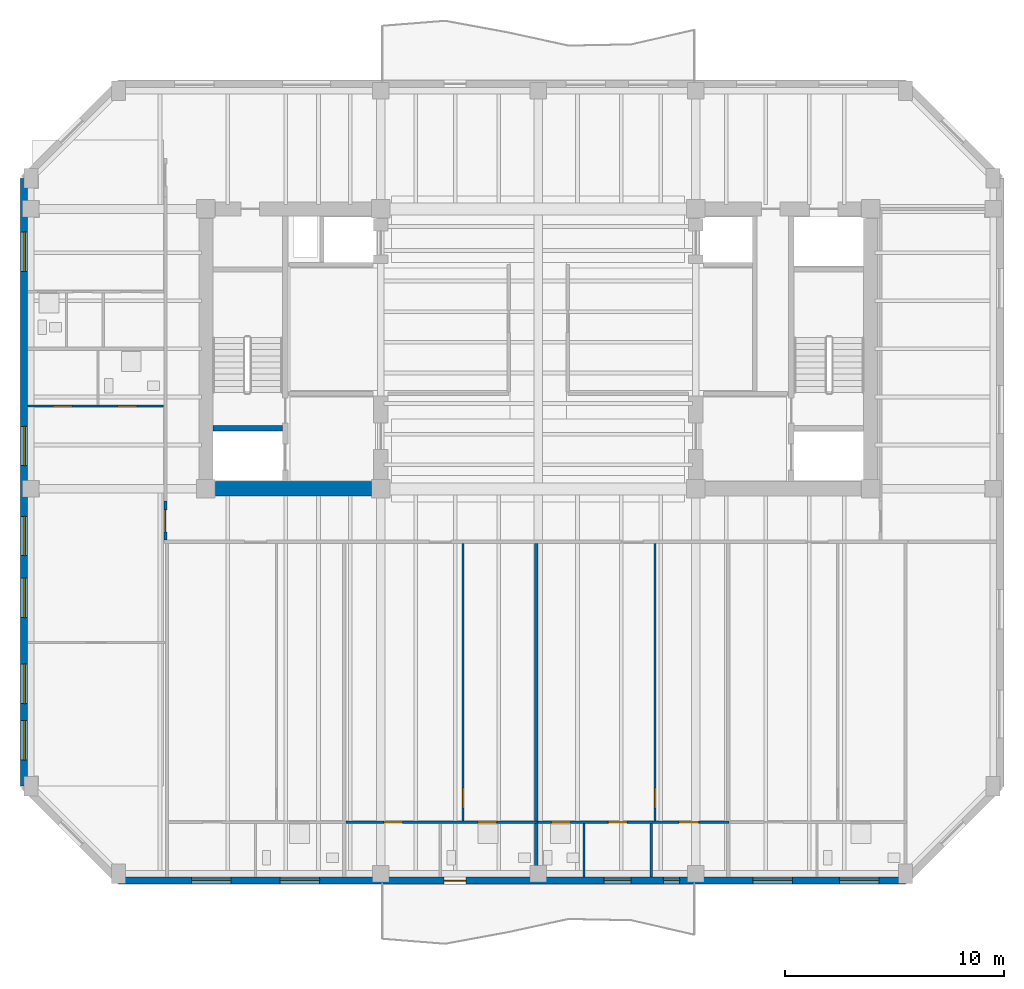
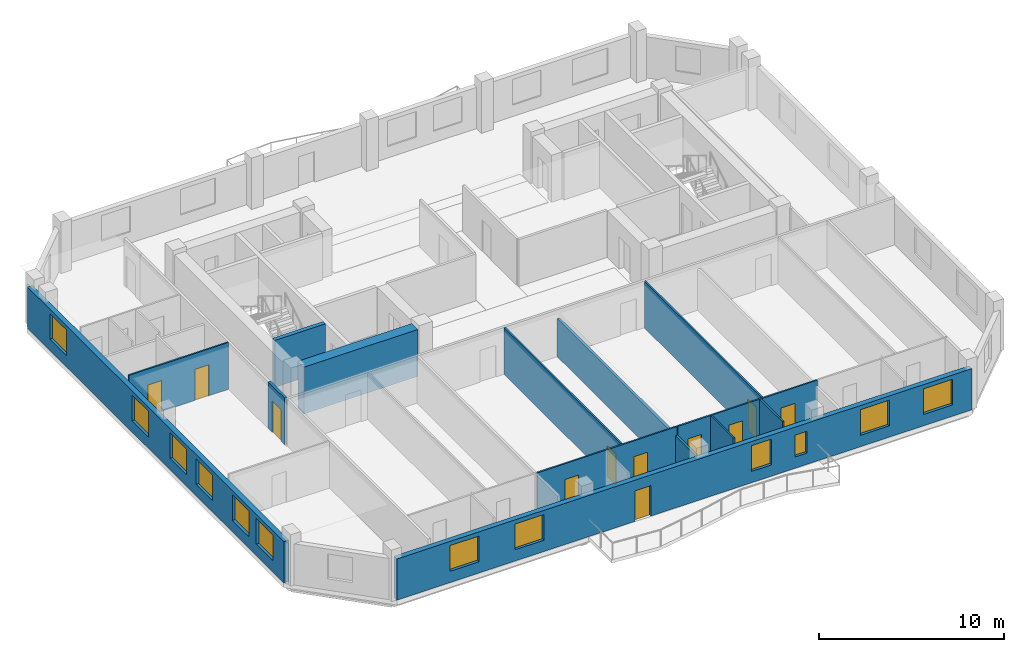
# One storey, part 3 of 11: 13 walls, 12 windows, 11 doors, 23 openings.
"""IFC4 building model written with IfcOpenShell, lengths in metres."""

from ifc_helpers import new_model, si_unit, direction, frame, frame_2d, origin, place, context, subcontext, project, spatial, rectangle, extrude, material, layer, layer_set, type_object, element, fill, save


model = new_model("IFC4")

# Units and contexts
model_context = context("Model", 3, precision=1e-05, world=origin(), true_north=direction((0.0, 1.0)))
body_context = subcontext(model_context, "Body", "Model", "MODEL_VIEW")
ifc_project = project(units=[si_unit("LENGTHUNIT", "METRE"), si_unit("AREAUNIT", "SQUARE_METRE"), si_unit("VOLUMEUNIT", "CUBIC_METRE"), si_unit("PLANEANGLEUNIT", "RADIAN"), si_unit("MASSUNIT", "GRAM", prefix="KILO")], contexts=[model_context])

# Site, building, storey
site_placement = place(None, origin())
site = spatial("IfcSite", under=ifc_project, at=site_placement, CompositionType="ELEMENT")
building_placement = place(site_placement, origin())
building = spatial("IfcBuilding", under=site, at=building_placement, Name="Kranthara Brick Stack", CompositionType="ELEMENT")
storey_placement = place(building_placement, frame((0.0, 0.0, 217.699951171875)))
storey = spatial("IfcBuildingStorey", under=building, at=storey_placement, Name="L56", CompositionType="ELEMENT", Elevation=217.699951171875)

# Wall, openings, door, windows
ifc_material_1 = material(Name="Warm buff clay brick masonry M15", Category="masonry")
ifc_layer_1 = layer(ifc_material_1, 0.320068359375)
ifc_layer_set_1 = layer_set([ifc_layer_1], Name="Warm buff clay brick masonry M15")
wall_type_1 = type_object("IfcWallType", Name="WL-BRK-UPPR-320", PredefinedType="STANDARD", material=ifc_layer_set_1)
wall_1_placement = place(storey_placement, frame((44.800048828125, 2.8798828125, 0.0), z_axis=(0.0, 0.0, 1.0), x_axis=(-1.0, 0.0, 0.0)))
wall_1 = element("IfcWall", 1, at=wall_1_placement, inside=storey, type_object=wall_type_1, Name="L56 Exterior Brick Facade Wall SOUTH 1", PredefinedType="STANDARD", context=body_context, shape_type="SweptSolid", body=[
    extrude(rectangle(XDim=36.0, YDim=0.320068359375, at=frame_2d((18.0, 0.0))), origin(), (0.0, 0.0, 1.0), 2.72509765625),
])
opening_1_placement = place(wall_1_placement, frame((20.10009765625, 0.0, 0.0)))
opening_1 = element("IfcOpeningElement", 2, at=opening_1_placement, cuts=wall_1, Name="Opening D03", PredefinedType="OPENING", context=body_context, shape_type="SweptSolid", body=[
    extrude(rectangle(XDim=1.0, YDim=2.02001953125, at=frame_2d((0.5, 1.010009765625))), frame((0.0, 0.169921875, 0.0), z_axis=(0.0, -1.0, 0.0), x_axis=(1.0, 0.0, 0.0)), (0.0, 0.0, 1.0), 0.340087890625),
])
opening_2_placement = place(wall_1_placement, frame((1.22705078125, 0.0, 0.75)))
opening_2 = element("IfcOpeningElement", 3, at=opening_2_placement, cuts=wall_1, Name="Opening WN07", PredefinedType="OPENING", context=body_context, shape_type="SweptSolid", body=[
    extrude(rectangle(XDim=1.800048828125, YDim=1.699951171875, at=frame_2d((0.89990234375, 0.85009765625))), frame((0.0, 0.169921875, 0.0), z_axis=(0.0, -1.0, 0.0), x_axis=(1.0, 0.0, 0.0)), (0.0, 0.0, 1.0), 0.340087890625),
])
opening_3_placement = place(wall_1_placement, frame((5.179931640625, 0.0, 0.75)))
opening_3 = element("IfcOpeningElement", 4, at=opening_3_placement, cuts=wall_1, Name="Opening WN07", PredefinedType="OPENING", context=body_context, shape_type="SweptSolid", body=[
    extrude(rectangle(XDim=1.800048828125, YDim=1.699951171875, at=frame_2d((0.89990234375, 0.85009765625))), frame((0.0, 0.169921875, 0.0), z_axis=(0.0, -1.0, 0.0), x_axis=(1.0, 0.0, 0.0)), (0.0, 0.0, 1.0), 0.340087890625),
])
opening_4_placement = place(wall_1_placement, frame((12.548095703125, 0.0, 0.75)))
opening_4 = element("IfcOpeningElement", 5, at=opening_4_placement, cuts=wall_1, Name="Opening WN09", PredefinedType="OPENING", context=body_context, shape_type="SweptSolid", body=[
    extrude(rectangle(XDim=1.25, YDim=1.699951171875, at=frame_2d((0.625, 0.85009765625))), frame((0.0, 0.169921875, 0.0), z_axis=(0.0, -1.0, 0.0), x_axis=(1.0, 0.0, 0.0)), (0.0, 0.0, 1.0), 0.340087890625),
])
opening_5_placement = place(wall_1_placement, frame((26.800048828125, 0.0, 0.75)))
opening_5 = element("IfcOpeningElement", 6, at=opening_5_placement, cuts=wall_1, Name="Opening WN07", PredefinedType="OPENING", context=body_context, shape_type="SweptSolid", body=[
    extrude(rectangle(XDim=1.800048828125, YDim=1.699951171875, at=frame_2d((0.89990234375, 0.85009765625))), frame((0.0, 0.169921875, 0.0), z_axis=(0.0, -1.0, 0.0), x_axis=(1.0, 0.0, 0.0)), (0.0, 0.0, 1.0), 0.340087890625),
])
opening_6_placement = place(wall_1_placement, frame((30.85400390625, 0.0, 0.75)))
opening_6 = element("IfcOpeningElement", 7, at=opening_6_placement, cuts=wall_1, Name="Opening WN07", PredefinedType="OPENING", context=body_context, shape_type="SweptSolid", body=[
    extrude(rectangle(XDim=1.800048828125, YDim=1.699951171875, at=frame_2d((0.89990234375, 0.85009765625))), frame((0.0, 0.169921875, 0.0), z_axis=(0.0, -1.0, 0.0), x_axis=(1.0, 0.0, 0.0)), (0.0, 0.0, 1.0), 0.340087890625),
])
opening_7_placement = place(wall_1_placement, frame((10.330078125, 0.0, 0.75)))
opening_7 = element("IfcOpeningElement", 8, at=opening_7_placement, cuts=wall_1, Name="Opening WN13", PredefinedType="OPENING", context=body_context, shape_type="SweptSolid", body=[
    extrude(rectangle(XDim=0.75, YDim=1.449951171875, at=frame_2d((0.375, 0.72509765625))), frame((0.0, 0.169921875, 0.0), z_axis=(0.0, -1.0, 0.0), x_axis=(1.0, 0.0, 0.0)), (0.0, 0.0, 1.0), 0.340087890625),
])
ifc_material_2 = material(Name="Bronze anodised aluminium and laminated glass", Category="aluminium")
door_type_1 = type_object("IfcDoorType", Name="DR-BALC-1000", OperationType="NOTDEFINED", PredefinedType="DOOR", material=ifc_material_2)
door_1_placement = place(opening_1_placement, origin())
door_1 = element("IfcDoor", 9, at=door_1_placement, inside=storey, type_object=door_type_1, Name="L56 South Balcony Terrace Door", OperationType="SINGLE_SWING_LEFT", OverallHeight=2.02001953125, OverallWidth=1.0, PredefinedType="DOOR", context=body_context, shape_type="SweptSolid", body=[
    extrude(rectangle(XDim=1.0, YDim=2.02001953125, at=frame_2d((0.5, 1.010009765625))), frame((0.0, 0.02490234375, 0.0), z_axis=(0.0, -1.0, 0.0), x_axis=(1.0, 0.0, 0.0)), (0.0, 0.0, 1.0), 0.050048828125),
])
fill(opening_1, door_1)
ifc_material_3 = material(Name="Double-glazed low-E solar control glass", Category="glass")
window_type_1 = type_object("IfcWindowType", Name="WN-CAS-750x1450", PartitioningType="SINGLE_PANEL", PredefinedType="WINDOW", material=ifc_material_3)
window_1_placement = place(opening_7_placement, origin())
window_1 = element("IfcWindow", 10, at=window_1_placement, inside=storey, type_object=window_type_1, Name="L56 South Deep-Set Casement Window 06", OverallHeight=1.449951171875, OverallWidth=0.75, PartitioningType="SINGLE_PANEL", PredefinedType="WINDOW", context=body_context, shape_type="SweptSolid", body=[
    extrude(rectangle(XDim=0.75, YDim=1.449951171875, at=frame_2d((0.375, 0.72509765625))), frame((0.0, -0.010009765625, 0.0), z_axis=(0.0, -1.0, 0.0), x_axis=(1.0, 0.0, 0.0)), (0.0, 0.0, 1.0), 0.06005859375),
])
fill(opening_7, window_1)
ifc_material_4 = material(Name="Double-glazed low-E solar control glass", Category="glass")
window_type_2 = type_object("IfcWindowType", Name="WN-RES-1250x1850", PartitioningType="SINGLE_PANEL", PredefinedType="WINDOW", material=ifc_material_4)
window_2_placement = place(opening_4_placement, origin())
window_2 = element("IfcWindow", 11, at=window_2_placement, inside=storey, type_object=window_type_2, Name="L56 South Deep-Set Brick Window 03", OverallHeight=1.699951171875, OverallWidth=1.25, PartitioningType="SINGLE_PANEL", PredefinedType="WINDOW", context=body_context, shape_type="SweptSolid", body=[
    extrude(rectangle(XDim=1.25, YDim=1.699951171875, at=frame_2d((0.625, 0.85009765625))), frame((0.0, -0.010009765625, 0.0), z_axis=(0.0, -1.0, 0.0), x_axis=(1.0, 0.0, 0.0)), (0.0, 0.0, 1.0), 0.06005859375),
])
fill(opening_4, window_2)
ifc_material_5 = material(Name="Double-glazed low-E solar control glass", Category="glass")
window_type_3 = type_object("IfcWindowType", Name="WN-RES-1800x1850", PartitioningType="DOUBLE_PANEL_VERTICAL", PredefinedType="WINDOW", material=ifc_material_5)
window_3_placement = place(opening_2_placement, origin())
window_3 = element("IfcWindow", 12, at=window_3_placement, inside=storey, type_object=window_type_3, Name="L56 South Deep-Set Brick Window 01", OverallHeight=1.699951171875, OverallWidth=1.800048828125, PartitioningType="SINGLE_PANEL", PredefinedType="WINDOW", context=body_context, shape_type="SweptSolid", body=[
    extrude(rectangle(XDim=1.800048828125, YDim=1.699951171875, at=frame_2d((0.89990234375, 0.85009765625))), frame((0.0, -0.010009765625, 0.0), z_axis=(0.0, -1.0, 0.0), x_axis=(1.0, 0.0, 0.0)), (0.0, 0.0, 1.0), 0.06005859375),
])
fill(opening_2, window_3)
window_4_placement = place(opening_3_placement, origin())
window_4 = element("IfcWindow", 13, at=window_4_placement, inside=storey, type_object=window_type_3, Name="L56 South Deep-Set Brick Window 02", OverallHeight=1.699951171875, OverallWidth=1.800048828125, PartitioningType="SINGLE_PANEL", PredefinedType="WINDOW", context=body_context, shape_type="SweptSolid", body=[
    extrude(rectangle(XDim=1.800048828125, YDim=1.699951171875, at=frame_2d((0.89990234375, 0.85009765625))), frame((0.0, -0.010009765625, 0.0), z_axis=(0.0, -1.0, 0.0), x_axis=(1.0, 0.0, 0.0)), (0.0, 0.0, 1.0), 0.06005859375),
])
fill(opening_3, window_4)
window_5_placement = place(opening_5_placement, origin())
window_5 = element("IfcWindow", 14, at=window_5_placement, inside=storey, type_object=window_type_3, Name="L56 South Deep-Set Brick Window 04", OverallHeight=1.699951171875, OverallWidth=1.800048828125, PartitioningType="SINGLE_PANEL", PredefinedType="WINDOW", context=body_context, shape_type="SweptSolid", body=[
    extrude(rectangle(XDim=1.800048828125, YDim=1.699951171875, at=frame_2d((0.89990234375, 0.85009765625))), frame((0.0, -0.010009765625, 0.0), z_axis=(0.0, -1.0, 0.0), x_axis=(1.0, 0.0, 0.0)), (0.0, 0.0, 1.0), 0.06005859375),
])
fill(opening_5, window_5)
window_6_placement = place(opening_6_placement, origin())
window_6 = element("IfcWindow", 15, at=window_6_placement, inside=storey, type_object=window_type_3, Name="L56 South Deep-Set Brick Window 05", OverallHeight=1.699951171875, OverallWidth=1.800048828125, PartitioningType="SINGLE_PANEL", PredefinedType="WINDOW", context=body_context, shape_type="SweptSolid", body=[
    extrude(rectangle(XDim=1.800048828125, YDim=1.699951171875, at=frame_2d((0.89990234375, 0.85009765625))), frame((0.0, -0.010009765625, 0.0), z_axis=(0.0, -1.0, 0.0), x_axis=(1.0, 0.0, 0.0)), (0.0, 0.0, 1.0), 0.06005859375),
])
fill(opening_6, window_6)

# Wall, openings, windows
wall_2_placement = place(storey_placement, frame((4.47998046875, 7.199951171875, 0.0), z_axis=(0.0, 0.0, 1.0), x_axis=(0.0, 1.0, 0.0)))
wall_2 = element("IfcWall", 16, at=wall_2_placement, inside=storey, type_object=wall_type_1, Name="L56 Exterior Brick Facade Wall WEST 1", PredefinedType="STANDARD", context=body_context, shape_type="SweptSolid", body=[
    extrude(rectangle(XDim=27.800048828125, YDim=0.320068359375, at=frame_2d((13.89990234375, 0.0))), origin(), (0.0, 0.0, 1.0), 2.72509765625),
])
opening_8_placement = place(wall_2_placement, frame((1.197998046875, 0.0, 0.75)))
opening_8 = element("IfcOpeningElement", 17, at=opening_8_placement, cuts=wall_2, Name="Opening WN07", PredefinedType="OPENING", context=body_context, shape_type="SweptSolid", body=[
    extrude(rectangle(XDim=1.800048828125, YDim=1.699951171875, at=frame_2d((0.89990234375, 0.85009765625))), frame((0.0, 0.169921875, 0.0), z_axis=(0.0, -1.0, 0.0), x_axis=(1.0, 0.0, 0.0)), (0.0, 0.0, 1.0), 0.340087890625),
])
opening_9_placement = place(wall_2_placement, frame((3.780029296875, 0.0, 0.75)))
opening_9 = element("IfcOpeningElement", 18, at=opening_9_placement, cuts=wall_2, Name="Opening WN07", PredefinedType="OPENING", context=body_context, shape_type="SweptSolid", body=[
    extrude(rectangle(XDim=1.800048828125, YDim=1.699951171875, at=frame_2d((0.89990234375, 0.85009765625))), frame((0.0, 0.169921875, 0.0), z_axis=(0.0, -1.0, 0.0), x_axis=(1.0, 0.0, 0.0)), (0.0, 0.0, 1.0), 0.340087890625),
])
opening_10_placement = place(wall_2_placement, frame((7.7109375, 0.0, 0.75)))
opening_10 = element("IfcOpeningElement", 19, at=opening_10_placement, cuts=wall_2, Name="Opening WN07", PredefinedType="OPENING", context=body_context, shape_type="SweptSolid", body=[
    extrude(rectangle(XDim=1.800048828125, YDim=1.699951171875, at=frame_2d((0.89990234375, 0.85009765625))), frame((0.0, 0.169921875, 0.0), z_axis=(0.0, -1.0, 0.0), x_axis=(1.0, 0.0, 0.0)), (0.0, 0.0, 1.0), 0.340087890625),
])
opening_11_placement = place(wall_2_placement, frame((10.5419921875, 0.0, 0.75)))
opening_11 = element("IfcOpeningElement", 20, at=opening_11_placement, cuts=wall_2, Name="Opening WN07", PredefinedType="OPENING", context=body_context, shape_type="SweptSolid", body=[
    extrude(rectangle(XDim=1.800048828125, YDim=1.699951171875, at=frame_2d((0.89990234375, 0.85009765625))), frame((0.0, 0.169921875, 0.0), z_axis=(0.0, -1.0, 0.0), x_axis=(1.0, 0.0, 0.0)), (0.0, 0.0, 1.0), 0.340087890625),
])
opening_12_placement = place(wall_2_placement, frame((14.657958984375, 0.0, 0.75)))
opening_12 = element("IfcOpeningElement", 21, at=opening_12_placement, cuts=wall_2, Name="Opening WN07", PredefinedType="OPENING", context=body_context, shape_type="SweptSolid", body=[
    extrude(rectangle(XDim=1.800048828125, YDim=1.699951171875, at=frame_2d((0.89990234375, 0.85009765625))), frame((0.0, 0.169921875, 0.0), z_axis=(0.0, -1.0, 0.0), x_axis=(1.0, 0.0, 0.0)), (0.0, 0.0, 1.0), 0.340087890625),
])
opening_13_placement = place(wall_2_placement, frame((23.54296875, 0.0, 0.75)))
opening_13 = element("IfcOpeningElement", 22, at=opening_13_placement, cuts=wall_2, Name="Opening WN07", PredefinedType="OPENING", context=body_context, shape_type="SweptSolid", body=[
    extrude(rectangle(XDim=1.800048828125, YDim=1.699951171875, at=frame_2d((0.89990234375, 0.85009765625))), frame((0.0, 0.169921875, 0.0), z_axis=(0.0, -1.0, 0.0), x_axis=(1.0, 0.0, 0.0)), (0.0, 0.0, 1.0), 0.340087890625),
])
window_7_placement = place(opening_8_placement, origin())
window_7 = element("IfcWindow", 23, at=window_7_placement, inside=storey, type_object=window_type_3, Name="L56 West Deep-Set Brick Window 01", OverallHeight=1.699951171875, OverallWidth=1.800048828125, PartitioningType="SINGLE_PANEL", PredefinedType="WINDOW", context=body_context, shape_type="SweptSolid", body=[
    extrude(rectangle(XDim=1.800048828125, YDim=1.699951171875, at=frame_2d((0.89990234375, 0.85009765625))), frame((0.0, -0.010009765625, 0.0), z_axis=(0.0, -1.0, 0.0), x_axis=(1.0, 0.0, 0.0)), (0.0, 0.0, 1.0), 0.06005859375),
])
fill(opening_8, window_7)
window_8_placement = place(opening_9_placement, origin())
window_8 = element("IfcWindow", 24, at=window_8_placement, inside=storey, type_object=window_type_3, Name="L56 West Deep-Set Brick Window 02", OverallHeight=1.699951171875, OverallWidth=1.800048828125, PartitioningType="SINGLE_PANEL", PredefinedType="WINDOW", context=body_context, shape_type="SweptSolid", body=[
    extrude(rectangle(XDim=1.800048828125, YDim=1.699951171875, at=frame_2d((0.89990234375, 0.85009765625))), frame((0.0, -0.010009765625, 0.0), z_axis=(0.0, -1.0, 0.0), x_axis=(1.0, 0.0, 0.0)), (0.0, 0.0, 1.0), 0.06005859375),
])
fill(opening_9, window_8)
window_9_placement = place(opening_10_placement, origin())
window_9 = element("IfcWindow", 25, at=window_9_placement, inside=storey, type_object=window_type_3, Name="L56 West Deep-Set Brick Window 03", OverallHeight=1.699951171875, OverallWidth=1.800048828125, PartitioningType="SINGLE_PANEL", PredefinedType="WINDOW", context=body_context, shape_type="SweptSolid", body=[
    extrude(rectangle(XDim=1.800048828125, YDim=1.699951171875, at=frame_2d((0.89990234375, 0.85009765625))), frame((0.0, -0.010009765625, 0.0), z_axis=(0.0, -1.0, 0.0), x_axis=(1.0, 0.0, 0.0)), (0.0, 0.0, 1.0), 0.06005859375),
])
fill(opening_10, window_9)
window_10_placement = place(opening_11_placement, origin())
window_10 = element("IfcWindow", 26, at=window_10_placement, inside=storey, type_object=window_type_3, Name="L56 West Deep-Set Brick Window 04", OverallHeight=1.699951171875, OverallWidth=1.800048828125, PartitioningType="SINGLE_PANEL", PredefinedType="WINDOW", context=body_context, shape_type="SweptSolid", body=[
    extrude(rectangle(XDim=1.800048828125, YDim=1.699951171875, at=frame_2d((0.89990234375, 0.85009765625))), frame((0.0, -0.010009765625, 0.0), z_axis=(0.0, -1.0, 0.0), x_axis=(1.0, 0.0, 0.0)), (0.0, 0.0, 1.0), 0.06005859375),
])
fill(opening_11, window_10)
window_11_placement = place(opening_12_placement, origin())
window_11 = element("IfcWindow", 27, at=window_11_placement, inside=storey, type_object=window_type_3, Name="L56 West Deep-Set Brick Window 05", OverallHeight=1.699951171875, OverallWidth=1.800048828125, PartitioningType="SINGLE_PANEL", PredefinedType="WINDOW", context=body_context, shape_type="SweptSolid", body=[
    extrude(rectangle(XDim=1.800048828125, YDim=1.699951171875, at=frame_2d((0.89990234375, 0.85009765625))), frame((0.0, -0.010009765625, 0.0), z_axis=(0.0, -1.0, 0.0), x_axis=(1.0, 0.0, 0.0)), (0.0, 0.0, 1.0), 0.06005859375),
])
fill(opening_12, window_11)
window_12_placement = place(opening_13_placement, origin())
window_12 = element("IfcWindow", 28, at=window_12_placement, inside=storey, type_object=window_type_3, Name="L56 West Deep-Set Brick Window 06", OverallHeight=1.699951171875, OverallWidth=1.800048828125, PartitioningType="SINGLE_PANEL", PredefinedType="WINDOW", context=body_context, shape_type="SweptSolid", body=[
    extrude(rectangle(XDim=1.800048828125, YDim=1.699951171875, at=frame_2d((0.89990234375, 0.85009765625))), frame((0.0, -0.010009765625, 0.0), z_axis=(0.0, -1.0, 0.0), x_axis=(1.0, 0.0, 0.0)), (0.0, 0.0, 1.0), 0.06005859375),
])
fill(opening_13, window_12)

# Walls
ifc_material_6 = material(Name="Concrete C50/60", Category="concrete")
ifc_layer_2 = layer(ifc_material_6, 0.25)
ifc_layer_set_2 = layer_set([ifc_layer_2], Name="Concrete C50/60")
wall_type_2 = type_object("IfcWallType", Name="WL-CORE-250", PredefinedType="SHEAR", material=ifc_layer_set_2)
wall_3_placement = place(storey_placement, frame((13.135009765625, 23.570068359375, 0.0), z_axis=(0.0, 0.0, 1.0), x_axis=(1.0, 0.0, 0.0)))
element("IfcWall", 29, at=wall_3_placement, inside=storey, type_object=wall_type_2, Name="L56 West Stairwell Bearing Wall WFF", PredefinedType="SHEAR", context=body_context, shape_type="SweptSolid", body=[
    extrude(rectangle(XDim=3.175048828125, YDim=0.25, at=frame_2d((1.58740234375, 0.0))), origin(), (0.0, 0.0, 1.0), 3.10009765625),
])
ifc_material_7 = material(Name="Concrete C60/75", Category="concrete")
ifc_layer_3 = layer(ifc_material_7, 0.64990234375)
ifc_layer_set_3 = layer_set([ifc_layer_3], Name="Concrete C60/75")
wall_type_3 = type_object("IfcWallType", Name="WL-CORE-650", PredefinedType="SHEAR", material=ifc_layer_set_3)
wall_4_placement = place(storey_placement, frame((13.22998046875, 20.800048828125, 0.0), z_axis=(0.0, 0.0, 1.0), x_axis=(1.0, 0.0, 0.0)))
element("IfcWall", 30, at=wall_4_placement, inside=storey, type_object=wall_type_3, Name="L56 West Core Shear Wall South", PredefinedType="SHEAR", context=body_context, shape_type="SweptSolid", body=[
    extrude(rectangle(XDim=7.14013671875, YDim=0.64990234375, at=frame_2d((3.570068359375, 0.0))), origin(), (0.0, 0.0, 1.0), 3.10009765625),
])

# Wall, openings, doors
ifc_material_8 = material(Name="Moisture-resistant wet-room partition", Category="other")
ifc_layer_4 = layer(ifc_material_8, 0.10009765625)
ifc_layer_set_4 = layer_set([ifc_layer_4], Name="Moisture-resistant wet-room partition")
wall_type_4 = type_object("IfcWallType", Name="WL-PART-100", PredefinedType="PARTITIONING", material=ifc_layer_set_4)
wall_5_placement = place(storey_placement, frame((19.20703125, 5.550048828125, 0.0), z_axis=(0.0, 0.0, 1.0), x_axis=(1.0, 0.0, 0.0)))
wall_5 = element("IfcWall", 31, at=wall_5_placement, inside=storey, type_object=wall_type_4, Name="L56 Interior Partition 011", PredefinedType="PARTITIONING", context=body_context, shape_type="SweptSolid", body=[
    extrude(rectangle(XDim=8.742919921875, YDim=0.10009765625, at=frame_2d((4.37158203125, 0.0))), origin(), (0.0, 0.0, 1.0), 3.10009765625),
])
opening_14_placement = place(wall_5_placement, frame((1.72998046875, 0.0, 0.0)))
opening_14 = element("IfcOpeningElement", 32, at=opening_14_placement, cuts=wall_5, Name="Opening D16", PredefinedType="OPENING", context=body_context, shape_type="SweptSolid", body=[
    extrude(rectangle(XDim=0.85009765625, YDim=2.050048828125, at=frame_2d((0.425048828125, 1.02490234375))), frame((0.0, 0.06005859375, 0.0), z_axis=(0.0, -1.0, 0.0), x_axis=(1.0, 0.0, 0.0)), (0.0, 0.0, 1.0), 0.1201171875),
])
opening_15_placement = place(wall_5_placement, frame((6.0419921875, 0.0, 0.0)))
opening_15 = element("IfcOpeningElement", 33, at=opening_15_placement, cuts=wall_5, Name="Opening D17", PredefinedType="OPENING", context=body_context, shape_type="SweptSolid", body=[
    extrude(rectangle(XDim=0.85009765625, YDim=2.050048828125, at=frame_2d((0.425048828125, 1.02490234375))), frame((0.0, 0.06005859375, 0.0), z_axis=(0.0, -1.0, 0.0), x_axis=(1.0, 0.0, 0.0)), (0.0, 0.0, 1.0), 0.1201171875),
])
ifc_material_9 = material(Name="Solid-core hardwood timber leaf in steel frame", Category="steel")
door_type_2 = type_object("IfcDoorType", Name="DR-INT-850", OperationType="NOTDEFINED", PredefinedType="DOOR", material=ifc_material_9)
door_2_placement = place(opening_14_placement, origin())
door_2 = element("IfcDoor", 34, at=door_2_placement, inside=storey, type_object=door_type_2, Name="L56 Unit L56B Kitchen 09", OperationType="SINGLE_SWING_LEFT", OverallHeight=2.050048828125, OverallWidth=0.85009765625, PredefinedType="DOOR", context=body_context, shape_type="SweptSolid", body=[
    extrude(rectangle(XDim=0.85009765625, YDim=2.050048828125, at=frame_2d((0.425048828125, 1.02490234375))), frame((0.0, 0.02490234375, 0.0), z_axis=(0.0, -1.0, 0.0), x_axis=(1.0, 0.0, 0.0)), (0.0, 0.0, 1.0), 0.050048828125),
])
fill(opening_14, door_2)
ifc_material_10 = material(Name="Solid-core hardwood timber leaf in steel frame", Category="steel")
door_type_3 = type_object("IfcDoorType", Name="DR-WET-850", OperationType="NOTDEFINED", PredefinedType="DOOR", material=ifc_material_10)
door_3_placement = place(opening_15_placement, origin())
door_3 = element("IfcDoor", 35, at=door_3_placement, inside=storey, type_object=door_type_3, Name="L56 Unit L56B Bathroom 10", OperationType="SINGLE_SWING_RIGHT", OverallHeight=2.050048828125, OverallWidth=0.85009765625, PredefinedType="DOOR", context=body_context, shape_type="SweptSolid", body=[
    extrude(rectangle(XDim=0.85009765625, YDim=2.050048828125, at=frame_2d((0.425048828125, 1.02490234375))), frame((0.0, 0.02490234375, 0.0), z_axis=(0.0, -1.0, 0.0), x_axis=(1.0, 0.0, 0.0)), (0.0, 0.0, 1.0), 0.050048828125),
])
fill(opening_15, door_3)

# Wall, opening, door
wall_6_placement = place(storey_placement, frame((24.552978515625, 5.60498046875, 0.0), z_axis=(0.0, 0.0, 1.0), x_axis=(0.0, 1.0, 0.0)))
wall_6 = element("IfcWall", 36, at=wall_6_placement, inside=storey, type_object=wall_type_4, Name="L56 Interior Partition 012", PredefinedType="PARTITIONING", context=body_context, shape_type="SweptSolid", body=[
    extrude(rectangle(XDim=12.695068359375, YDim=0.10009765625, at=frame_2d((6.34765625, 0.0))), origin(), (0.0, 0.0, 1.0), 3.10009765625),
])
opening_16_placement = place(wall_6_placement, frame((0.60498046875, 0.0, 0.0)))
opening_16 = element("IfcOpeningElement", 37, at=opening_16_placement, cuts=wall_6, Name="Opening D15", PredefinedType="OPENING", context=body_context, shape_type="SweptSolid", body=[
    extrude(rectangle(XDim=0.89990234375, YDim=2.050048828125, at=frame_2d((0.449951171875, 1.02490234375))), frame((0.0, 0.06005859375, 0.0), z_axis=(0.0, -1.0, 0.0), x_axis=(1.0, 0.0, 0.0)), (0.0, 0.0, 1.0), 0.1201171875),
])
ifc_material_11 = material(Name="Solid-core hardwood timber leaf in steel frame", Category="steel")
door_type_4 = type_object("IfcDoorType", Name="DR-INT-900", OperationType="NOTDEFINED", PredefinedType="DOOR", material=ifc_material_11)
door_4_placement = place(opening_16_placement, origin())
door_4 = element("IfcDoor", 38, at=door_4_placement, inside=storey, type_object=door_type_4, Name="L56 Unit L56B Study 08", OperationType="SINGLE_SWING_RIGHT", OverallHeight=2.050048828125, OverallWidth=0.89990234375, PredefinedType="DOOR", context=body_context, shape_type="SweptSolid", body=[
    extrude(rectangle(XDim=0.89990234375, YDim=2.050048828125, at=frame_2d((0.449951171875, 1.02490234375))), frame((0.0, 0.02490234375, 0.0), z_axis=(0.0, -1.0, 0.0), x_axis=(1.0, 0.0, 0.0)), (0.0, 0.0, 1.0), 0.050048828125),
])
fill(opening_16, door_4)

# Wall, openings, doors
wall_7_placement = place(storey_placement, frame((27.989990234375, 5.550048828125, 0.0), z_axis=(0.0, 0.0, 1.0), x_axis=(1.0, 0.0, 0.0)))
wall_7 = element("IfcWall", 39, at=wall_7_placement, inside=storey, type_object=wall_type_4, Name="L56 Interior Partition 015", PredefinedType="PARTITIONING", context=body_context, shape_type="SweptSolid", body=[
    extrude(rectangle(XDim=8.742919921875, YDim=0.10009765625, at=frame_2d((4.37158203125, 0.0))), origin(), (0.0, 0.0, 1.0), 3.10009765625),
])
opening_17_placement = place(wall_7_placement, frame((0.625, 0.0, 0.0)))
opening_17 = element("IfcOpeningElement", 40, at=opening_17_placement, cuts=wall_7, Name="Opening D17", PredefinedType="OPENING", context=body_context, shape_type="SweptSolid", body=[
    extrude(rectangle(XDim=0.85009765625, YDim=2.050048828125, at=frame_2d((0.425048828125, 1.02490234375))), frame((0.0, 0.06005859375, 0.0), z_axis=(0.0, -1.0, 0.0), x_axis=(1.0, 0.0, 0.0)), (0.0, 0.0, 1.0), 0.1201171875),
])
opening_18_placement = place(wall_7_placement, frame((3.2119140625, 0.0, 0.0)))
opening_18 = element("IfcOpeningElement", 41, at=opening_18_placement, cuts=wall_7, Name="Opening D16", PredefinedType="OPENING", context=body_context, shape_type="SweptSolid", body=[
    extrude(rectangle(XDim=0.85009765625, YDim=2.050048828125, at=frame_2d((0.425048828125, 1.02490234375))), frame((0.0, 0.06005859375, 0.0), z_axis=(0.0, -1.0, 0.0), x_axis=(1.0, 0.0, 0.0)), (0.0, 0.0, 1.0), 0.1201171875),
])
opening_19_placement = place(wall_7_placement, frame((6.448974609375, 0.0, 0.0)))
opening_19 = element("IfcOpeningElement", 42, at=opening_19_placement, cuts=wall_7, Name="Opening D15", PredefinedType="OPENING", context=body_context, shape_type="SweptSolid", body=[
    extrude(rectangle(XDim=0.89990234375, YDim=2.050048828125, at=frame_2d((0.449951171875, 1.02490234375))), frame((0.0, 0.06005859375, 0.0), z_axis=(0.0, -1.0, 0.0), x_axis=(1.0, 0.0, 0.0)), (0.0, 0.0, 1.0), 0.1201171875),
])
door_5_placement = place(opening_18_placement, origin())
door_5 = element("IfcDoor", 43, at=door_5_placement, inside=storey, type_object=door_type_2, Name="L56 Unit L56C Kitchen 14", OperationType="SINGLE_SWING_RIGHT", OverallHeight=2.050048828125, OverallWidth=0.85009765625, PredefinedType="DOOR", context=body_context, shape_type="SweptSolid", body=[
    extrude(rectangle(XDim=0.85009765625, YDim=2.050048828125, at=frame_2d((0.425048828125, 1.02490234375))), frame((0.0, 0.02490234375, 0.0), z_axis=(0.0, -1.0, 0.0), x_axis=(1.0, 0.0, 0.0)), (0.0, 0.0, 1.0), 0.050048828125),
])
fill(opening_18, door_5)
door_6_placement = place(opening_19_placement, origin())
door_6 = element("IfcDoor", 44, at=door_6_placement, inside=storey, type_object=door_type_4, Name="L56 Unit L56C Bedroom 15", OperationType="SINGLE_SWING_LEFT", OverallHeight=2.050048828125, OverallWidth=0.89990234375, PredefinedType="DOOR", context=body_context, shape_type="SweptSolid", body=[
    extrude(rectangle(XDim=0.89990234375, YDim=2.050048828125, at=frame_2d((0.449951171875, 1.02490234375))), frame((0.0, 0.02490234375, 0.0), z_axis=(0.0, -1.0, 0.0), x_axis=(1.0, 0.0, 0.0)), (0.0, 0.0, 1.0), 0.050048828125),
])
fill(opening_19, door_6)
door_7_placement = place(opening_17_placement, origin())
door_7 = element("IfcDoor", 45, at=door_7_placement, inside=storey, type_object=door_type_3, Name="L56 Unit L56C Bathroom 13", OperationType="SINGLE_SWING_LEFT", OverallHeight=2.050048828125, OverallWidth=0.85009765625, PredefinedType="DOOR", context=body_context, shape_type="SweptSolid", body=[
    extrude(rectangle(XDim=0.85009765625, YDim=2.050048828125, at=frame_2d((0.425048828125, 1.02490234375))), frame((0.0, 0.02490234375, 0.0), z_axis=(0.0, -1.0, 0.0), x_axis=(1.0, 0.0, 0.0)), (0.0, 0.0, 1.0), 0.050048828125),
])
fill(opening_17, door_7)

# Wall, opening, door
wall_8_placement = place(storey_placement, frame((33.3359375, 5.60498046875, 0.0), z_axis=(0.0, 0.0, 1.0), x_axis=(0.0, 1.0, 0.0)))
wall_8 = element("IfcWall", 46, at=wall_8_placement, inside=storey, type_object=wall_type_4, Name="L56 Interior Partition 016", PredefinedType="PARTITIONING", context=body_context, shape_type="SweptSolid", body=[
    extrude(rectangle(XDim=12.695068359375, YDim=0.10009765625, at=frame_2d((6.34765625, 0.0))), origin(), (0.0, 0.0, 1.0), 3.10009765625),
])
opening_20_placement = place(wall_8_placement, frame((0.60498046875, 0.0, 0.0)))
opening_20 = element("IfcOpeningElement", 47, at=opening_20_placement, cuts=wall_8, Name="Opening D15", PredefinedType="OPENING", context=body_context, shape_type="SweptSolid", body=[
    extrude(rectangle(XDim=0.89990234375, YDim=2.050048828125, at=frame_2d((0.449951171875, 1.02490234375))), frame((0.0, 0.06005859375, 0.0), z_axis=(0.0, -1.0, 0.0), x_axis=(1.0, 0.0, 0.0)), (0.0, 0.0, 1.0), 0.1201171875),
])
door_8_placement = place(opening_20_placement, origin())
door_8 = element("IfcDoor", 48, at=door_8_placement, inside=storey, type_object=door_type_4, Name="L56 Unit L56C Study 12", OperationType="SINGLE_SWING_RIGHT", OverallHeight=2.050048828125, OverallWidth=0.89990234375, PredefinedType="DOOR", context=body_context, shape_type="SweptSolid", body=[
    extrude(rectangle(XDim=0.89990234375, YDim=2.050048828125, at=frame_2d((0.449951171875, 1.02490234375))), frame((0.0, 0.02490234375, 0.0), z_axis=(0.0, -1.0, 0.0), x_axis=(1.0, 0.0, 0.0)), (0.0, 0.0, 1.0), 0.050048828125),
])
fill(opening_20, door_8)

# Walls
for number, where, z_axis, x_axis, name in (
    (49, (30.090087890625, 3.044921875, 0.0), (0.0, 0.0, 1.0), (0.0, 1.0, 0.0), "L56 Interior Partition 017"),
    (50, (33.1640625, 3.044921875, 0.0), (0.0, 0.0, 1.0), (0.0, 1.0, 0.0), "L56 Interior Partition 018"),
):
    element("IfcWall", number, at=place(storey_placement, frame(where, z_axis=z_axis, x_axis=x_axis)), inside=storey, type_object=wall_type_4, Name=name, PredefinedType="PARTITIONING", context=body_context, shape_type="SweptSolid", body=[
        extrude(rectangle(XDim=2.4501953125, YDim=0.10009765625, at=frame_2d((1.22509765625, 0.0))), origin(), (0.0, 0.0, 1.0), 3.10009765625),
    ])

# Wall, openings, doors
wall_9_placement = place(storey_placement, frame((4.64501953125, 24.590087890625, 0.0), z_axis=(0.0, 0.0, 1.0), x_axis=(1.0, 0.0, 0.0)))
wall_9 = element("IfcWall", 51, at=wall_9_placement, inside=storey, type_object=wall_type_4, Name="L56 Interior Partition 030", PredefinedType="PARTITIONING", context=body_context, shape_type="SweptSolid", body=[
    extrude(rectangle(XDim=6.22509765625, YDim=0.10009765625, at=frame_2d((3.112548828125, 0.0))), origin(), (0.0, 0.0, 1.0), 3.10009765625),
])
opening_21_placement = place(wall_9_placement, frame((1.19189453125, 0.0, 0.0)))
opening_21 = element("IfcOpeningElement", 52, at=opening_21_placement, cuts=wall_9, Name="Opening D16", PredefinedType="OPENING", context=body_context, shape_type="SweptSolid", body=[
    extrude(rectangle(XDim=0.85009765625, YDim=2.050048828125, at=frame_2d((0.425048828125, 1.02490234375))), frame((0.0, 0.06005859375, 0.0), z_axis=(0.0, -1.0, 0.0), x_axis=(1.0, 0.0, 0.0)), (0.0, 0.0, 1.0), 0.1201171875),
])
opening_22_placement = place(wall_9_placement, frame((4.137939453125, 0.0, 0.0)))
opening_22 = element("IfcOpeningElement", 53, at=opening_22_placement, cuts=wall_9, Name="Opening D17", PredefinedType="OPENING", context=body_context, shape_type="SweptSolid", body=[
    extrude(rectangle(XDim=0.85009765625, YDim=2.050048828125, at=frame_2d((0.425048828125, 1.02490234375))), frame((0.0, 0.06005859375, 0.0), z_axis=(0.0, -1.0, 0.0), x_axis=(1.0, 0.0, 0.0)), (0.0, 0.0, 1.0), 0.1201171875),
])
door_9_placement = place(opening_21_placement, origin())
door_9 = element("IfcDoor", 54, at=door_9_placement, inside=storey, type_object=door_type_2, Name="L56 Unit L56E Kitchen 22", OperationType="SINGLE_SWING_RIGHT", OverallHeight=2.050048828125, OverallWidth=0.85009765625, PredefinedType="DOOR", context=body_context, shape_type="SweptSolid", body=[
    extrude(rectangle(XDim=0.85009765625, YDim=2.050048828125, at=frame_2d((0.425048828125, 1.02490234375))), frame((0.0, 0.02490234375, 0.0), z_axis=(0.0, -1.0, 0.0), x_axis=(1.0, 0.0, 0.0)), (0.0, 0.0, 1.0), 0.050048828125),
])
fill(opening_21, door_9)
door_10_placement = place(opening_22_placement, origin())
door_10 = element("IfcDoor", 55, at=door_10_placement, inside=storey, type_object=door_type_3, Name="L56 Unit L56E Bathroom 23", OperationType="SINGLE_SWING_LEFT", OverallHeight=2.050048828125, OverallWidth=0.85009765625, PredefinedType="DOOR", context=body_context, shape_type="SweptSolid", body=[
    extrude(rectangle(XDim=0.85009765625, YDim=2.050048828125, at=frame_2d((0.425048828125, 1.02490234375))), frame((0.0, 0.02490234375, 0.0), z_axis=(0.0, -1.0, 0.0), x_axis=(1.0, 0.0, 0.0)), (0.0, 0.0, 1.0), 0.050048828125),
])
fill(opening_22, door_10)

# Wall
ifc_material_12 = material(Name="Fire-rated gypsum board partition", Category="other")
ifc_layer_5 = layer(ifc_material_12, 0.14990234375)
ifc_layer_set_5 = layer_set([ifc_layer_5], Name="Fire-rated gypsum board partition")
wall_type_5 = type_object("IfcWallType", Name="WL-PART-150", PredefinedType="PARTITIONING", material=ifc_layer_set_5)
wall_10_placement = place(storey_placement, frame((27.909912109375, 3.044921875, 0.0), z_axis=(0.0, 0.0, 1.0), x_axis=(0.0, 1.0, 0.0)))
element("IfcWall", 56, at=wall_10_placement, inside=storey, type_object=wall_type_5, Name="L56 Interior Partition 014", PredefinedType="PARTITIONING", context=body_context, shape_type="SweptSolid", body=[
    extrude(rectangle(XDim=15.255126953125, YDim=0.14990234375, at=frame_2d((7.62744140625, 0.0))), origin(), (0.0, 0.0, 1.0), 2.53515625),
])

# Wall, opening, door
wall_11_placement = place(storey_placement, frame((10.949951171875, 18.4599609375, 0.0), z_axis=(0.0, 0.0, 1.0), x_axis=(0.0, 1.0, 0.0)))
wall_11 = element("IfcWall", 57, at=wall_11_placement, inside=storey, type_object=wall_type_5, Name="L56 Interior Partition 025", PredefinedType="PARTITIONING", context=body_context, shape_type="SweptSolid", body=[
    extrude(rectangle(XDim=1.7900390625, YDim=0.14990234375, at=frame_2d((0.89501953125, 0.0))), origin(), (0.0, 0.0, 1.0), 3.10009765625),
])
opening_23_placement = place(wall_11_placement, frame((0.375, 0.0, 0.0)))
opening_23 = element("IfcOpeningElement", 58, at=opening_23_placement, cuts=wall_11, Name="Opening D08", PredefinedType="OPENING", context=body_context, shape_type="SweptSolid", body=[
    extrude(rectangle(XDim=1.0, YDim=2.10009765625, at=frame_2d((0.5, 1.050048828125))), frame((0.0, 0.0849609375, 0.0), z_axis=(0.0, -1.0, 0.0), x_axis=(1.0, 0.0, 0.0)), (0.0, 0.0, 1.0), 0.169921875),
])
ifc_material_13 = material(Name="Solid-core hardwood timber leaf in steel frame", Category="steel")
door_type_5 = type_object("IfcDoorType", Name="DR-FD-1000", OperationType="NOTDEFINED", PredefinedType="DOOR", material=ifc_material_13)
door_11_placement = place(opening_23_placement, origin())
door_11 = element("IfcDoor", 59, at=door_11_placement, inside=storey, type_object=door_type_5, Name="L56 Unit L56E Entrance 20", OperationType="SINGLE_SWING_RIGHT", OverallHeight=2.10009765625, OverallWidth=1.0, PredefinedType="DOOR", context=body_context, shape_type="SweptSolid", body=[
    extrude(rectangle(XDim=1.0, YDim=2.10009765625, at=frame_2d((0.5, 1.050048828125))), frame((0.0, 0.02490234375, 0.0), z_axis=(0.0, -1.0, 0.0), x_axis=(1.0, 0.0, 0.0)), (0.0, 0.0, 1.0), 0.050048828125),
])
fill(opening_23, door_11)

save(model, "model.ifc")
